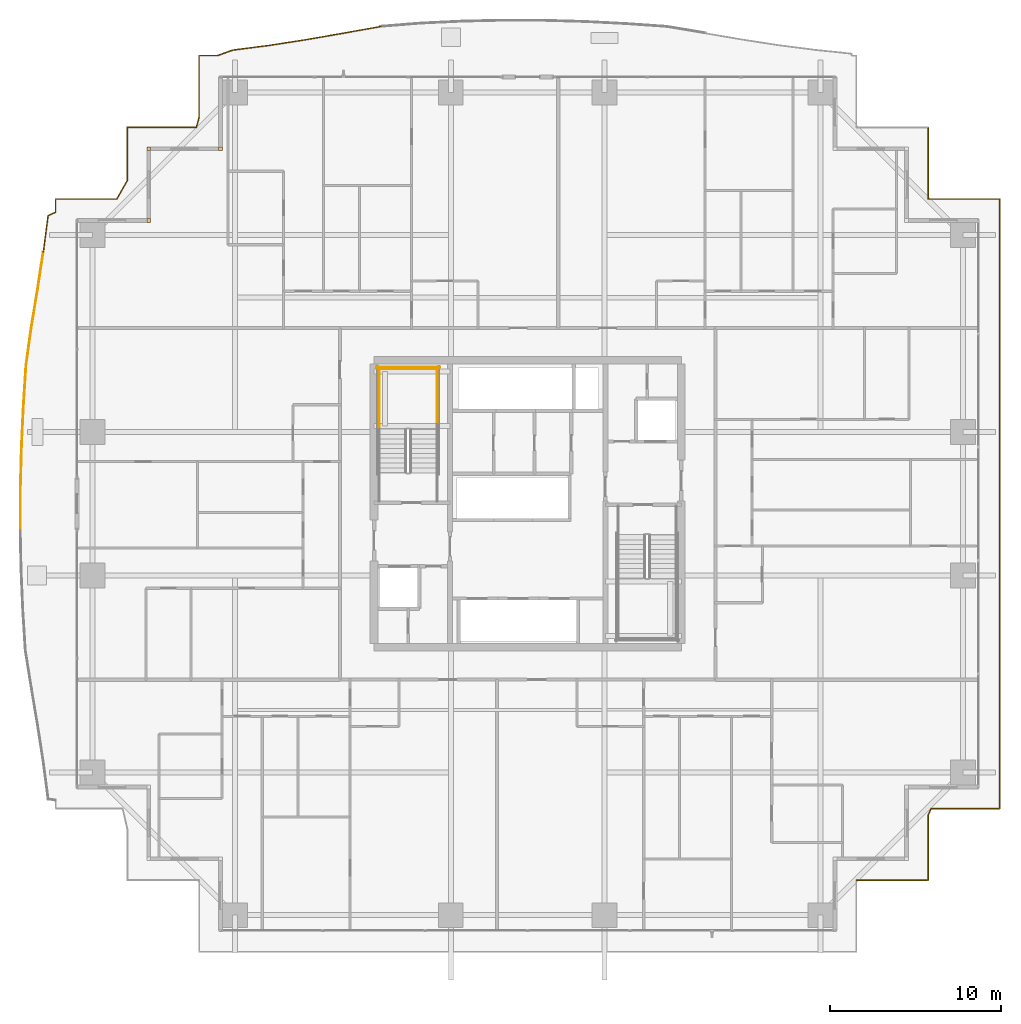
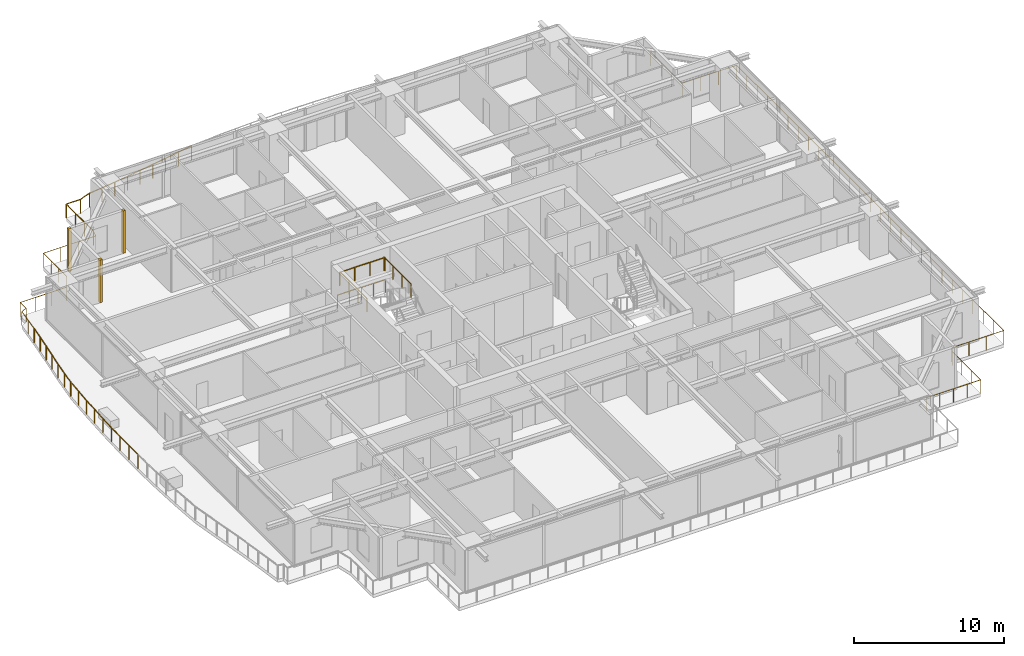
# One storey, part 35 of 36: 8 railings, 3 coverings.
"""IFC4 building model written with IfcOpenShell, lengths in metres."""

from ifc_helpers import new_model, si_unit, direction, frame, origin, origin_2d, place, context, subcontext, project, spatial, rectangle, circle, extrude, source, transform, mapped, material, layer, layer_set, type_object, element, save


model = new_model("IFC4")

# Units and contexts
model_context = context("Model", 3, precision=1e-05, world=origin(), true_north=direction((0.0, 1.0)))
body_context = subcontext(model_context, "Body", "Model", "MODEL_VIEW")
ifc_project = project(units=[si_unit("LENGTHUNIT", "METRE"), si_unit("AREAUNIT", "SQUARE_METRE"), si_unit("VOLUMEUNIT", "CUBIC_METRE"), si_unit("PLANEANGLEUNIT", "RADIAN"), si_unit("MASSUNIT", "GRAM", prefix="KILO")], contexts=[model_context])

# Site, building, storey
site_placement = place(None, origin())
site = spatial("IfcSite", under=ifc_project, at=site_placement, CompositionType="ELEMENT")
building_placement = place(site_placement, origin())
building = spatial("IfcBuilding", under=site, at=building_placement, Name="Serunith Strait Residences", CompositionType="ELEMENT")
storey_placement = place(building_placement, frame((0.0, 0.0, 41.699951171875)))
storey = spatial("IfcBuildingStorey", under=building, at=storey_placement, Name="L09", CompositionType="ELEMENT", Elevation=41.699951171875)

# Railings
ifc_material_1 = material(Name="Stainless Steel & Laminated Glass Balustrade", Category="steel")
railing_type_1 = type_object("IfcRailingType", Name="RLG-BALC-1150", PredefinedType="BALUSTRADE", material=ifc_material_1)
railing_1_placement = place(storey_placement, frame((2.681396484375, 23.7646484375, -0.050048828125)))
element("IfcRailing", 1, at=railing_1_placement, inside=storey, type_object=railing_type_1, Name="L09 Swirling Balcony Perimeter Balustrade 2", PredefinedType="BALUSTRADE", context=body_context, shape_type="SweptSolid", body=[
    extrude(circle(Radius=0.02392578125, at=origin_2d()), frame((0.0, 0.001953125, 1.1259765625), z_axis=(0.003342091928, 0.999994415195, 0.0), x_axis=(-0.999994415195, 0.003342091928, 0.0)), (0.0, 0.0, 1.0), 2.40673828125),
    extrude(circle(Radius=0.02392578125, at=origin_2d()), frame((0.008056640625, 2.41259765625, 1.1259765625), z_axis=(0.026304011309, 0.999653989633, 0.0), x_axis=(-0.999653989633, 0.026304011309, 0.0)), (0.0, 0.0, 1.0), 2.39990234375),
    extrude(circle(Radius=0.02392578125, at=origin_2d()), frame((0.0712890625, 4.815673828125, 1.1259765625), z_axis=(0.046762963379, 0.998906014226, 0.0), x_axis=(-0.998906014226, 0.046762963379, 0.0)), (0.0, 0.0, 1.0), 2.3818359375),
    extrude(circle(Radius=0.02392578125, at=origin_2d()), frame((0.18310546875, 7.198974609375, 1.1259765625), z_axis=(0.06311257647, 0.998006414153, 0.0), x_axis=(-0.998006414153, 0.06311257647, 0.0)), (0.0, 0.0, 1.0), 2.355712890625),
    extrude(circle(Radius=0.02392578125, at=origin_2d()), frame((0.33203125, 9.553955078125, 1.1259765625), z_axis=(0.138662467845, 0.990339699301, 0.0), x_axis=(-0.990339699301, 0.138662467845, 0.0)), (0.0, 0.0, 1.0), 2.288330078125),
    extrude(circle(Radius=0.02392578125, at=origin_2d()), frame((0.64990234375, 11.82421875, 1.1259765625), z_axis=(0.162658028421, 0.986682505059, 0.0), x_axis=(-0.986682505059, 0.162658028421, 0.0)), (0.0, 0.0, 1.0), 2.224853515625),
    extrude(circle(Radius=0.02392578125, at=origin_2d()), frame((1.012451171875, 14.0234375, 1.1259765625), z_axis=(0.149712639286, 0.988729551312, 0.0), x_axis=(-0.988729551312, 0.149712639286, 0.0)), (0.0, 0.0, 1.0), 2.179443359375),
    extrude(circle(Radius=0.02099609375, at=origin_2d()), origin(), (0.0, 0.0, 1.0), 1.099853515625),
    extrude(circle(Radius=0.02099609375, at=origin_2d()), frame((0.00390625, 1.205322265625, 0.0)), (0.0, 0.0, 1.0), 1.099853515625),
    extrude(circle(Radius=0.02099609375, at=origin_2d()), frame((0.008056640625, 2.41064453125, 0.0)), (0.0, 0.0, 1.0), 1.099853515625),
    extrude(circle(Radius=0.02099609375, at=origin_2d()), frame((0.03955078125, 3.6123046875, 0.0)), (0.0, 0.0, 1.0), 1.099853515625),
    extrude(circle(Radius=0.02099609375, at=origin_2d()), frame((0.0712890625, 4.813720703125, 0.0)), (0.0, 0.0, 1.0), 1.099853515625),
    extrude(circle(Radius=0.02099609375, at=origin_2d()), frame((0.126953125, 6.00537109375, 0.0)), (0.0, 0.0, 1.0), 1.099853515625),
    extrude(circle(Radius=0.02099609375, at=origin_2d()), frame((0.182861328125, 7.197021484375, 0.0)), (0.0, 0.0, 1.0), 1.099853515625),
    extrude(circle(Radius=0.02099609375, at=origin_2d()), frame((0.25732421875, 8.37451171875, 0.0)), (0.0, 0.0, 1.0), 1.099853515625),
    extrude(circle(Radius=0.02099609375, at=origin_2d()), frame((0.331787109375, 9.552001953125, 0.0)), (0.0, 0.0, 1.0), 1.099853515625),
    extrude(circle(Radius=0.02099609375, at=origin_2d()), frame((0.49072265625, 10.68701171875, 0.0)), (0.0, 0.0, 1.0), 1.099853515625),
    extrude(circle(Radius=0.02099609375, at=origin_2d()), frame((0.649658203125, 11.822265625, 0.0)), (0.0, 0.0, 1.0), 1.099853515625),
    extrude(circle(Radius=0.02099609375, at=origin_2d()), frame((0.8310546875, 12.921875, 0.0)), (0.0, 0.0, 1.0), 1.099853515625),
    extrude(circle(Radius=0.02099609375, at=origin_2d()), frame((1.01220703125, 14.021484375, 0.0)), (0.0, 0.0, 1.0), 1.099853515625),
    extrude(circle(Radius=0.02099609375, at=origin_2d()), frame((1.17578125, 15.10107421875, 0.0)), (0.0, 0.0, 1.0), 1.099853515625),
    extrude(circle(Radius=0.02099609375, at=origin_2d()), frame((1.339111328125, 16.180419921875, 0.0)), (0.0, 0.0, 1.0), 1.099853515625),
])
railing_2_placement = place(storey_placement, frame((4.0205078125, 39.945068359375, -0.050048828125)))
element("IfcRailing", 2, at=railing_2_placement, inside=storey, type_object=railing_type_1, Name="L09 Swirling Balcony Perimeter Balustrade 3", PredefinedType="BALUSTRADE", context=body_context, shape_type="SweptSolid", body=[
    extrude(circle(Radius=0.02392578125, at=origin_2d()), frame((0.000244140625, 0.001953125, 1.1259765625), z_axis=(0.12950401431, 0.991578897657, 0.0), x_axis=(-0.991578897657, 0.12950401431, 0.0)), (0.0, 0.0, 1.0), 2.14892578125),
    extrude(circle(Radius=0.02392578125, at=origin_2d()), frame((0.280517578125, 2.135498046875, 1.1259765625), z_axis=(0.908356661692, 0.41819633566, 0.0), x_axis=(-0.41819633566, 0.908356661692, 0.0)), (0.0, 0.0, 1.0), 0.481201171875),
    extrude(circle(Radius=0.02392578125, at=origin_2d()), frame((0.719482421875, 2.339599609375, 1.1259765625), z_axis=(0.0, 1.0, 0.0), x_axis=(-1.0, 0.0, 0.0)), (0.0, 0.0, 1.0), 0.7734375),
    extrude(circle(Radius=0.02392578125, at=origin_2d()), frame((0.721435546875, 3.114990234375, 1.1259765625), z_axis=(1.0, 0.0, 0.0), x_axis=(0.0, 1.0, 0.0)), (0.0, 0.0, 1.0), 3.582763671875),
    extrude(circle(Radius=0.02392578125, at=origin_2d()), frame((4.30712890625, 3.11669921875, 1.1259765625), z_axis=(0.4938506482, 0.869546742431, 0.0), x_axis=(-0.869546742431, 0.4938506482, 0.0)), (0.0, 0.0, 1.0), 1.23779296875),
    extrude(circle(Radius=0.02392578125, at=origin_2d()), frame((4.91943359375, 4.19677734375, 1.1259765625), z_axis=(0.0, 1.0, 0.0), x_axis=(-1.0, 0.0, 0.0)), (0.0, 0.0, 1.0), 3.1162109375),
    extrude(circle(Radius=0.02392578125, at=origin_2d()), frame((4.92138671875, 7.31494140625, 1.1259765625), z_axis=(1.0, 0.0, 0.0), x_axis=(0.0, 1.0, 0.0)), (0.0, 0.0, 1.0), 4.046630859375),
    extrude(circle(Radius=0.02392578125, at=origin_2d()), frame((8.970458984375, 7.31689453125, 1.1259765625), z_axis=(0.255067672763, 0.966923203937, 0.0), x_axis=(-0.966923203937, 0.255067672763, 0.0)), (0.0, 0.0, 1.0), 0.581787109375),
    extrude(circle(Radius=0.02099609375, at=origin_2d()), origin(), (0.0, 0.0, 1.0), 1.099853515625),
    extrude(circle(Radius=0.02099609375, at=origin_2d()), frame((0.139404296875, 1.0673828125, 0.0)), (0.0, 0.0, 1.0), 1.099853515625),
    extrude(circle(Radius=0.02099609375, at=origin_2d()), frame((0.27880859375, 2.134765625, 0.0)), (0.0, 0.0, 1.0), 1.099853515625),
    extrude(circle(Radius=0.02099609375, at=origin_2d()), frame((0.719482421875, 2.337646484375, 0.0)), (0.0, 0.0, 1.0), 1.099853515625),
    extrude(circle(Radius=0.02099609375, at=origin_2d()), frame((0.719482421875, 3.114990234375, 0.0)), (0.0, 0.0, 1.0), 1.099853515625),
    extrude(circle(Radius=0.02099609375, at=origin_2d()), frame((1.9150390625, 3.114990234375, 0.0)), (0.0, 0.0, 1.0), 1.099853515625),
    extrude(circle(Radius=0.02099609375, at=origin_2d()), frame((3.110595703125, 3.114990234375, 0.0)), (0.0, 0.0, 1.0), 1.099853515625),
    extrude(circle(Radius=0.02099609375, at=origin_2d()), frame((4.30615234375, 3.114990234375, 0.0)), (0.0, 0.0, 1.0), 1.099853515625),
    extrude(circle(Radius=0.02099609375, at=origin_2d()), frame((4.91943359375, 4.19482421875, 0.0)), (0.0, 0.0, 1.0), 1.099853515625),
    extrude(circle(Radius=0.02099609375, at=origin_2d()), frame((4.91943359375, 5.23486328125, 0.0)), (0.0, 0.0, 1.0), 1.099853515625),
    extrude(circle(Radius=0.02099609375, at=origin_2d()), frame((4.91943359375, 6.27490234375, 0.0)), (0.0, 0.0, 1.0), 1.099853515625),
    extrude(circle(Radius=0.02099609375, at=origin_2d()), frame((4.91943359375, 7.31494140625, 0.0)), (0.0, 0.0, 1.0), 1.099853515625),
    extrude(circle(Radius=0.02099609375, at=origin_2d()), frame((6.26953125, 7.31494140625, 0.0)), (0.0, 0.0, 1.0), 1.099853515625),
    extrude(circle(Radius=0.02099609375, at=origin_2d()), frame((7.619873046875, 7.31494140625, 0.0)), (0.0, 0.0, 1.0), 1.099853515625),
    extrude(circle(Radius=0.02099609375, at=origin_2d()), frame((8.969970703125, 7.31494140625, 0.0)), (0.0, 0.0, 1.0), 1.099853515625),
    extrude(circle(Radius=0.02099609375, at=origin_2d()), frame((9.119384765625, 7.88134765625, 0.0)), (0.0, 0.0, 1.0), 1.099853515625),
])
railing_3_placement = place(storey_placement, frame((13.139892578125, 47.826416015625, -0.050048828125)))
element("IfcRailing", 3, at=railing_3_placement, inside=storey, type_object=railing_type_1, Name="L09 Swirling Balcony Perimeter Balustrade 4", PredefinedType="BALUSTRADE", context=body_context, shape_type="SweptSolid", body=[
    extrude(circle(Radius=0.02392578125, at=origin_2d()), frame((0.0, 0.001953125, 1.1259765625), z_axis=(0.0, 1.0, 0.0), x_axis=(-1.0, 0.0, 0.0)), (0.0, 0.0, 1.0), 3.629638671875),
    extrude(circle(Radius=0.02392578125, at=origin_2d()), frame((0.001953125, 3.633544921875, 1.1259765625), z_axis=(1.0, 0.0, 0.0), x_axis=(0.0, 1.0, 0.0)), (0.0, 0.0, 1.0), 1.08154296875),
    extrude(circle(Radius=0.02392578125, at=origin_2d()), frame((1.08740234375, 3.63427734375, 1.1259765625), z_axis=(0.940604755236, 0.33950360002, 0.0), x_axis=(-0.33950360002, 0.940604755236, 0.0)), (0.0, 0.0, 1.0), 0.93310546875),
    extrude(circle(Radius=0.02392578125, at=origin_2d()), frame((1.96875, 3.951904296875, 1.1259765625), z_axis=(0.991754958111, 0.128148753648, 0.0), x_axis=(-0.128148753648, 0.991754958111, 0.0)), (0.0, 0.0, 1.0), 2.135498046875),
    extrude(circle(Radius=0.02392578125, at=origin_2d()), frame((4.090576171875, 4.22607421875, 1.1259765625), z_axis=(0.988225358392, 0.153005362752, 0.0), x_axis=(-0.153005362752, 0.988225358392, 0.0)), (0.0, 0.0, 1.0), 2.162841796875),
    extrude(circle(Radius=0.02392578125, at=origin_2d()), frame((6.23193359375, 4.5576171875, 1.1259765625), z_axis=(0.985224710796, 0.171266661196, 0.0), x_axis=(-0.171266661196, 0.985224710796, 0.0)), (0.0, 0.0, 1.0), 2.20849609375),
    extrude(circle(Radius=0.02392578125, at=origin_2d()), frame((8.41162109375, 4.9365234375, 1.1259765625), z_axis=(0.984445490875, 0.17569028287, 0.0), x_axis=(-0.17569028287, 0.984445490875, 0.0)), (0.0, 0.0, 1.0), 2.269287109375),
    extrude(circle(Radius=0.02099609375, at=origin_2d()), origin(), (0.0, 0.0, 1.0), 1.099853515625),
    extrude(circle(Radius=0.02099609375, at=origin_2d()), frame((0.0, 1.211181640625, 0.0)), (0.0, 0.0, 1.0), 1.099853515625),
    extrude(circle(Radius=0.02099609375, at=origin_2d()), frame((0.0, 2.42236328125, 0.0)), (0.0, 0.0, 1.0), 1.099853515625),
    extrude(circle(Radius=0.02099609375, at=origin_2d()), frame((0.0, 3.633544921875, 0.0)), (0.0, 0.0, 1.0), 1.099853515625),
    extrude(circle(Radius=0.02099609375, at=origin_2d()), frame((1.08544921875, 3.633544921875, 0.0)), (0.0, 0.0, 1.0), 1.099853515625),
    extrude(circle(Radius=0.02099609375, at=origin_2d()), frame((1.966796875, 3.95166015625, 0.0)), (0.0, 0.0, 1.0), 1.099853515625),
    extrude(circle(Radius=0.02099609375, at=origin_2d()), frame((3.02783203125, 4.0888671875, 0.0)), (0.0, 0.0, 1.0), 1.099853515625),
    extrude(circle(Radius=0.02099609375, at=origin_2d()), frame((4.088623046875, 4.225830078125, 0.0)), (0.0, 0.0, 1.0), 1.099853515625),
    extrude(circle(Radius=0.02099609375, at=origin_2d()), frame((5.1591796875, 4.3916015625, 0.0)), (0.0, 0.0, 1.0), 1.099853515625),
    extrude(circle(Radius=0.02099609375, at=origin_2d()), frame((6.22998046875, 4.557373046875, 0.0)), (0.0, 0.0, 1.0), 1.099853515625),
    extrude(circle(Radius=0.02099609375, at=origin_2d()), frame((7.31982421875, 4.746826171875, 0.0)), (0.0, 0.0, 1.0), 1.099853515625),
    extrude(circle(Radius=0.02099609375, at=origin_2d()), frame((8.40966796875, 4.936279296875, 0.0)), (0.0, 0.0, 1.0), 1.099853515625),
    extrude(circle(Radius=0.02099609375, at=origin_2d()), frame((9.52880859375, 5.135986328125, 0.0)), (0.0, 0.0, 1.0), 1.099853515625),
    extrude(circle(Radius=0.02099609375, at=origin_2d()), frame((10.647705078125, 5.335693359375, 0.0)), (0.0, 0.0, 1.0), 1.099853515625),
])
railing_4_placement = place(storey_placement, frame((55.860107421875, 47.260009765625, -0.050048828125)))
element("IfcRailing", 4, at=railing_4_placement, inside=storey, type_object=railing_type_1, Name="L09 Swirling Balcony Perimeter Balustrade 7", PredefinedType="BALUSTRADE", context=body_context, shape_type="SweptSolid", body=[
    extrude(circle(Radius=0.02392578125, at=origin_2d()), frame((0.0, -0.001953125, 1.1259765625), z_axis=(0.0, -1.0, 0.0), x_axis=(1.0, 0.0, 0.0)), (0.0, 0.0, 1.0), 4.196044921875),
    extrude(circle(Radius=0.02392578125, at=origin_2d()), frame((0.001953125, -4.199951171875, 1.1259765625), z_axis=(1.0, 0.0, 0.0), x_axis=(0.0, 1.0, 0.0)), (0.0, 0.0, 1.0), 4.196044921875),
    extrude(circle(Radius=0.02392578125, at=origin_2d()), frame((4.199951171875, -4.201904296875, 1.1259765625), z_axis=(0.0, -1.0, 0.0), x_axis=(1.0, 0.0, 0.0)), (0.0, 0.0, 1.0), 35.716064453125),
    extrude(circle(Radius=0.02392578125, at=origin_2d()), frame((4.197998046875, -39.919921875, 1.1259765625), z_axis=(-1.0, 0.0, 0.0), x_axis=(0.0, -1.0, 0.0)), (0.0, 0.0, 1.0), 4.014892578125),
    extrude(circle(Radius=0.02392578125, at=origin_2d()), frame((0.180419921875, -39.921630859375, 1.1259765625), z_axis=(-0.414518347731, -0.91004095479, 0.0), x_axis=(0.91004095479, -0.414518347731, 0.0)), (0.0, 0.0, 1.0), 0.43310546875),
    extrude(circle(Radius=0.02392578125, at=origin_2d()), frame((0.0, -40.319580078125, 1.1259765625), z_axis=(0.0, -1.0, 0.0), x_axis=(1.0, 0.0, 0.0)), (0.0, 0.0, 1.0), 3.798583984375),
    extrude(circle(Radius=0.02392578125, at=origin_2d()), frame((-0.001953125, -44.1201171875, 1.1259765625), z_axis=(-1.0, 0.0, 0.0), x_axis=(0.0, -1.0, 0.0)), (0.0, 0.0, 1.0), 4.1962890625),
    extrude(circle(Radius=0.02099609375, at=origin_2d()), origin(), (0.0, 0.0, 1.0), 1.099853515625),
    extrude(circle(Radius=0.02099609375, at=origin_2d()), frame((0.0, -1.39990234375, 0.0)), (0.0, 0.0, 1.0), 1.099853515625),
    extrude(circle(Radius=0.02099609375, at=origin_2d()), frame((0.0, -2.800048828125, 0.0)), (0.0, 0.0, 1.0), 1.099853515625),
    extrude(circle(Radius=0.02099609375, at=origin_2d()), frame((0.0, -4.199951171875, 0.0)), (0.0, 0.0, 1.0), 1.099853515625),
    extrude(circle(Radius=0.02099609375, at=origin_2d()), frame((1.39990234375, -4.199951171875, 0.0)), (0.0, 0.0, 1.0), 1.099853515625),
    extrude(circle(Radius=0.02099609375, at=origin_2d()), frame((2.800048828125, -4.199951171875, 0.0)), (0.0, 0.0, 1.0), 1.099853515625),
    extrude(circle(Radius=0.02099609375, at=origin_2d()), frame((4.199951171875, -4.199951171875, 0.0)), (0.0, 0.0, 1.0), 1.099853515625),
    extrude(circle(Radius=0.02099609375, at=origin_2d()), frame((4.199951171875, -5.57373046875, 0.0)), (0.0, 0.0, 1.0), 1.099853515625),
    extrude(circle(Radius=0.02099609375, at=origin_2d()), frame((4.199951171875, -6.94775390625, 0.0)), (0.0, 0.0, 1.0), 1.099853515625),
    extrude(circle(Radius=0.02099609375, at=origin_2d()), frame((4.199951171875, -8.321533203125, 0.0)), (0.0, 0.0, 1.0), 1.099853515625),
    extrude(circle(Radius=0.02099609375, at=origin_2d()), frame((4.199951171875, -9.6953125, 0.0)), (0.0, 0.0, 1.0), 1.099853515625),
    extrude(circle(Radius=0.02099609375, at=origin_2d()), frame((4.199951171875, -11.069091796875, 0.0)), (0.0, 0.0, 1.0), 1.099853515625),
    extrude(circle(Radius=0.02099609375, at=origin_2d()), frame((4.199951171875, -12.443115234375, 0.0)), (0.0, 0.0, 1.0), 1.099853515625),
    extrude(circle(Radius=0.02099609375, at=origin_2d()), frame((4.199951171875, -13.81689453125, 0.0)), (0.0, 0.0, 1.0), 1.099853515625),
    extrude(circle(Radius=0.02099609375, at=origin_2d()), frame((4.199951171875, -15.190673828125, 0.0)), (0.0, 0.0, 1.0), 1.099853515625),
    extrude(circle(Radius=0.02099609375, at=origin_2d()), frame((4.199951171875, -16.564453125, 0.0)), (0.0, 0.0, 1.0), 1.099853515625),
    extrude(circle(Radius=0.02099609375, at=origin_2d()), frame((4.199951171875, -17.9384765625, 0.0)), (0.0, 0.0, 1.0), 1.099853515625),
    extrude(circle(Radius=0.02099609375, at=origin_2d()), frame((4.199951171875, -19.312255859375, 0.0)), (0.0, 0.0, 1.0), 1.099853515625),
    extrude(circle(Radius=0.02099609375, at=origin_2d()), frame((4.199951171875, -20.68603515625, 0.0)), (0.0, 0.0, 1.0), 1.099853515625),
    extrude(circle(Radius=0.02099609375, at=origin_2d()), frame((4.199951171875, -22.06005859375, 0.0)), (0.0, 0.0, 1.0), 1.099853515625),
    extrude(circle(Radius=0.02099609375, at=origin_2d()), frame((4.199951171875, -23.433837890625, 0.0)), (0.0, 0.0, 1.0), 1.099853515625),
    extrude(circle(Radius=0.02099609375, at=origin_2d()), frame((4.199951171875, -24.8076171875, 0.0)), (0.0, 0.0, 1.0), 1.099853515625),
    extrude(circle(Radius=0.02099609375, at=origin_2d()), frame((4.199951171875, -26.181396484375, 0.0)), (0.0, 0.0, 1.0), 1.099853515625),
    extrude(circle(Radius=0.02099609375, at=origin_2d()), frame((4.199951171875, -27.555419921875, 0.0)), (0.0, 0.0, 1.0), 1.099853515625),
    extrude(circle(Radius=0.02099609375, at=origin_2d()), frame((4.199951171875, -28.92919921875, 0.0)), (0.0, 0.0, 1.0), 1.099853515625),
    extrude(circle(Radius=0.02099609375, at=origin_2d()), frame((4.199951171875, -30.302978515625, 0.0)), (0.0, 0.0, 1.0), 1.099853515625),
    extrude(circle(Radius=0.02099609375, at=origin_2d()), frame((4.199951171875, -31.6767578125, 0.0)), (0.0, 0.0, 1.0), 1.099853515625),
    extrude(circle(Radius=0.02099609375, at=origin_2d()), frame((4.199951171875, -33.05078125, 0.0)), (0.0, 0.0, 1.0), 1.099853515625),
    extrude(circle(Radius=0.02099609375, at=origin_2d()), frame((4.199951171875, -34.424560546875, 0.0)), (0.0, 0.0, 1.0), 1.099853515625),
    extrude(circle(Radius=0.02099609375, at=origin_2d()), frame((4.199951171875, -35.79833984375, 0.0)), (0.0, 0.0, 1.0), 1.099853515625),
    extrude(circle(Radius=0.02099609375, at=origin_2d()), frame((4.199951171875, -37.172119140625, 0.0)), (0.0, 0.0, 1.0), 1.099853515625),
    extrude(circle(Radius=0.02099609375, at=origin_2d()), frame((4.199951171875, -38.546142578125, 0.0)), (0.0, 0.0, 1.0), 1.099853515625),
    extrude(circle(Radius=0.02099609375, at=origin_2d()), frame((4.199951171875, -39.919921875, 0.0)), (0.0, 0.0, 1.0), 1.099853515625),
    extrude(circle(Radius=0.02099609375, at=origin_2d()), frame((2.8603515625, -39.919921875, 0.0)), (0.0, 0.0, 1.0), 1.099853515625),
    extrude(circle(Radius=0.02099609375, at=origin_2d()), frame((1.520751953125, -39.919921875, 0.0)), (0.0, 0.0, 1.0), 1.099853515625),
    extrude(circle(Radius=0.02099609375, at=origin_2d()), frame((0.18115234375, -39.919921875, 0.0)), (0.0, 0.0, 1.0), 1.099853515625),
    extrude(circle(Radius=0.02099609375, at=origin_2d()), frame((0.0, -40.317626953125, 0.0)), (0.0, 0.0, 1.0), 1.099853515625),
    extrude(circle(Radius=0.02099609375, at=origin_2d()), frame((0.0, -41.585205078125, 0.0)), (0.0, 0.0, 1.0), 1.099853515625),
    extrude(circle(Radius=0.02099609375, at=origin_2d()), frame((0.0, -42.8525390625, 0.0)), (0.0, 0.0, 1.0), 1.099853515625),
    extrude(circle(Radius=0.02099609375, at=origin_2d()), frame((0.0, -44.1201171875, 0.0)), (0.0, 0.0, 1.0), 1.099853515625),
    extrude(circle(Radius=0.02099609375, at=origin_2d()), frame((-1.050048828125, -44.1201171875, 0.0)), (0.0, 0.0, 1.0), 1.099853515625),
    extrude(circle(Radius=0.02099609375, at=origin_2d()), frame((-2.10009765625, -44.1201171875, 0.0)), (0.0, 0.0, 1.0), 1.099853515625),
    extrude(circle(Radius=0.02099609375, at=origin_2d()), frame((-3.150146484375, -44.1201171875, 0.0)), (0.0, 0.0, 1.0), 1.099853515625),
    extrude(circle(Radius=0.02099609375, at=origin_2d()), frame((-4.2001953125, -44.1201171875, 0.0)), (0.0, 0.0, 1.0), 1.099853515625),
])
ifc_material_2 = material(Name="Brushed stainless steel 316L", Category="steel")
railing_type_2 = type_object("IfcRailingType", Name="RLG-STAIR-GUARD", PredefinedType="BALUSTRADE", material=ifc_material_2)
for number, where, name in (
    (5, (27.10009765625, 29.550048828125, 1.875), "L09 ST-1 stair guard 3"),
    (6, (23.699951171875, 29.550048828125, 1.875), "L09 ST-1 stair guard 4"),
):
    element("IfcRailing", number, at=place(storey_placement, frame(where)), inside=storey, type_object=railing_type_2, Name=name, PredefinedType="BALUSTRADE", context=body_context, shape_type="SweptSolid", body=[
        extrude(circle(Radius=0.02392578125, at=origin_2d()), frame((0.0, 0.001953125, 1.076171875), z_axis=(0.0, 1.0, 0.0), x_axis=(-1.0, 0.0, 0.0)), (0.0, 0.0, 1.0), 3.595947265625),
        extrude(circle(Radius=0.02099609375, at=origin_2d()), origin(), (0.0, 0.0, 1.0), 1.050048828125),
        extrude(circle(Radius=0.02099609375, at=origin_2d()), frame((0.0, 1.199951171875, 0.0)), (0.0, 0.0, 1.0), 1.050048828125),
        extrude(circle(Radius=0.02099609375, at=origin_2d()), frame((0.0, 2.39990234375, 0.0)), (0.0, 0.0, 1.0), 1.050048828125),
        extrude(circle(Radius=0.02099609375, at=origin_2d()), frame((0.0, 3.599853515625, 0.0)), (0.0, 0.0, 1.0), 1.050048828125),
    ])
railing_5_placement = place(storey_placement, frame((27.14990234375, 33.10009765625, 1.875)))
element("IfcRailing", 7, at=railing_5_placement, inside=storey, type_object=railing_type_2, Name="L09 ST-1 stair guard 5", PredefinedType="BALUSTRADE", context=body_context, shape_type="SweptSolid", body=[
    extrude(circle(Radius=0.02392578125, at=origin_2d()), frame((-0.001953125, 0.0, 1.076171875), z_axis=(-1.0, 0.0, 0.0), x_axis=(0.0, -1.0, 0.0)), (0.0, 0.0, 1.0), 3.49609375),
    extrude(circle(Radius=0.02099609375, at=origin_2d()), origin(), (0.0, 0.0, 1.0), 1.050048828125),
    extrude(circle(Radius=0.02099609375, at=origin_2d()), frame((-1.166748046875, 0.0, 0.0)), (0.0, 0.0, 1.0), 1.050048828125),
    extrude(circle(Radius=0.02099609375, at=origin_2d()), frame((-2.333251953125, 0.0, 0.0)), (0.0, 0.0, 1.0), 1.050048828125),
    extrude(circle(Radius=0.02099609375, at=origin_2d()), frame((-3.5, 0.0, 0.0)), (0.0, 0.0, 1.0), 1.050048828125),
])
railing_6_placement = place(storey_placement, frame((27.25, 33.199951171875, 0.0)))
element("IfcRailing", 8, at=railing_6_placement, inside=storey, type_object=railing_type_2, Name="L09 ST-1 stair guard 12", PredefinedType="BALUSTRADE", context=body_context, shape_type="SweptSolid", body=[
    extrude(circle(Radius=0.02392578125, at=origin_2d()), frame((-0.001953125, 0.0, 1.076171875), z_axis=(-1.0, 0.0, 0.0), x_axis=(0.0, -1.0, 0.0)), (0.0, 0.0, 1.0), 3.696044921875),
    extrude(circle(Radius=0.02099609375, at=origin_2d()), origin(), (0.0, 0.0, 1.0), 1.050048828125),
    extrude(circle(Radius=0.02099609375, at=origin_2d()), frame((-0.925048828125, 0.0, 0.0)), (0.0, 0.0, 1.0), 1.050048828125),
    extrude(circle(Radius=0.02099609375, at=origin_2d()), frame((-1.85009765625, 0.0, 0.0)), (0.0, 0.0, 1.0), 1.050048828125),
    extrude(circle(Radius=0.02099609375, at=origin_2d()), frame((-2.77490234375, 0.0, 0.0)), (0.0, 0.0, 1.0), 1.050048828125),
    extrude(circle(Radius=0.02099609375, at=origin_2d()), frame((-3.699951171875, 0.0, 0.0)), (0.0, 0.0, 1.0), 1.050048828125),
])

# Coverings
ifc_material_3 = material(Name="Pale-Champagne Anodised Aluminium", Category="aluminium")
ifc_layer = layer(ifc_material_3, 0.219970703125, Name="Pale-Champagne Anodised Aluminium")
ifc_layer_set = layer_set([ifc_layer], Name="Pale-Champagne Anodised Aluminium")
covering_type = type_object("IfcCoveringType", Name="COV-CORN-TRIM", PredefinedType="CLADDING", material=ifc_layer_set)
shared_shape = source(origin(), body_context, "Body", "SweptSolid", [
    extrude(rectangle(XDim=0.221923828125, YDim=0.221923828125, at=origin_2d()), origin(), (0.0, 0.0, 1.0), 3.47509765625),
])
for number, where, z_axis, x_axis, name in (
    (9, (14.39990234375, 46.0, 0.0), (0.0, 0.0, 1.0), (1.0, 0.0, 0.0), "L09 Girih Serrated Corner Trim Post 12"),
    (10, (10.199951171875, 46.0, 0.0), (0.0, 0.0, 1.0), (1.0, 0.0, 0.0), "L09 Girih Serrated Corner Trim Post 13"),
    (11, (10.199951171875, 41.800048828125, 0.0), (0.0, 0.0, 1.0), (1.0, 0.0, 0.0), "L09 Girih Serrated Corner Trim Post 14"),
):
    element("IfcCovering", number, at=place(storey_placement, frame(where, z_axis=z_axis, x_axis=x_axis)), inside=storey, type_object=covering_type, Name=name, PredefinedType="CLADDING", context=body_context, shape_type="MappedRepresentation", body=[
        mapped(shared_shape, transform((0.0, 0.0, 0.0), scale=1.0)),
    ])

save(model, "model.ifc")
